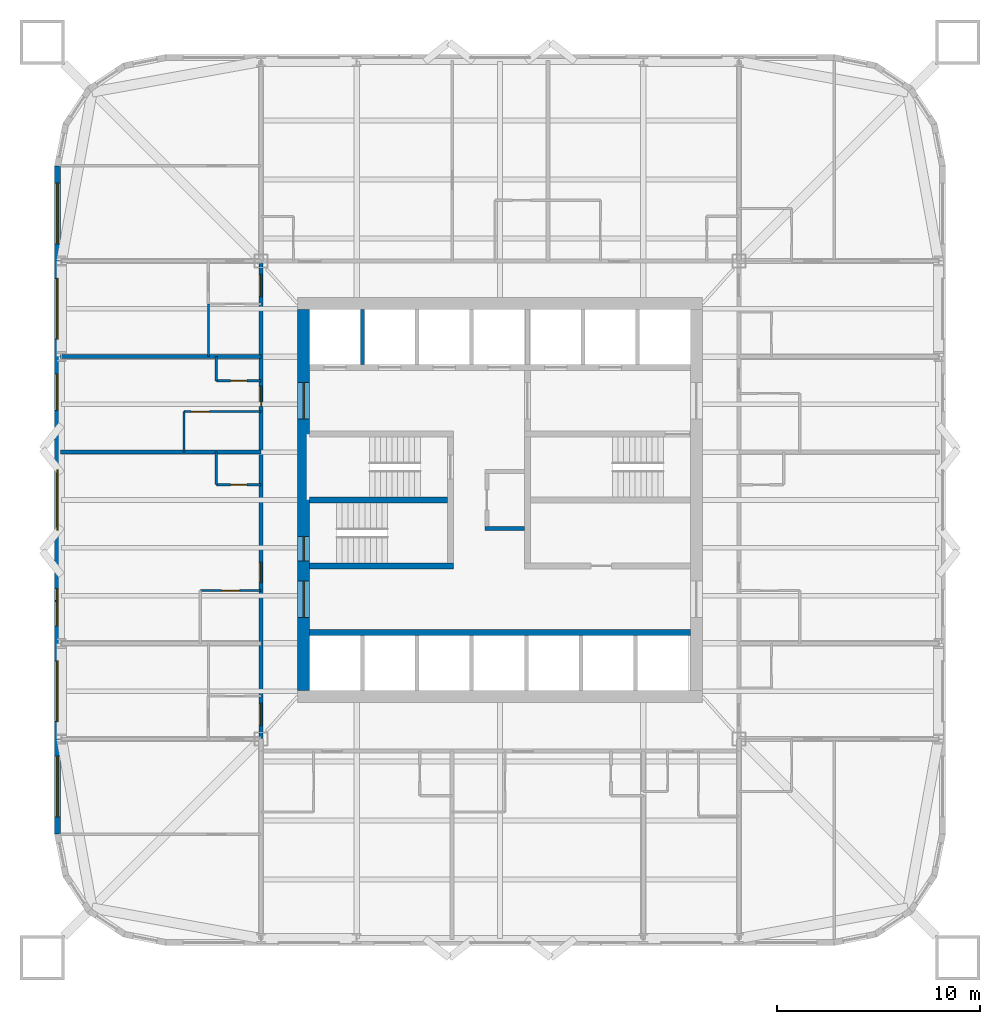
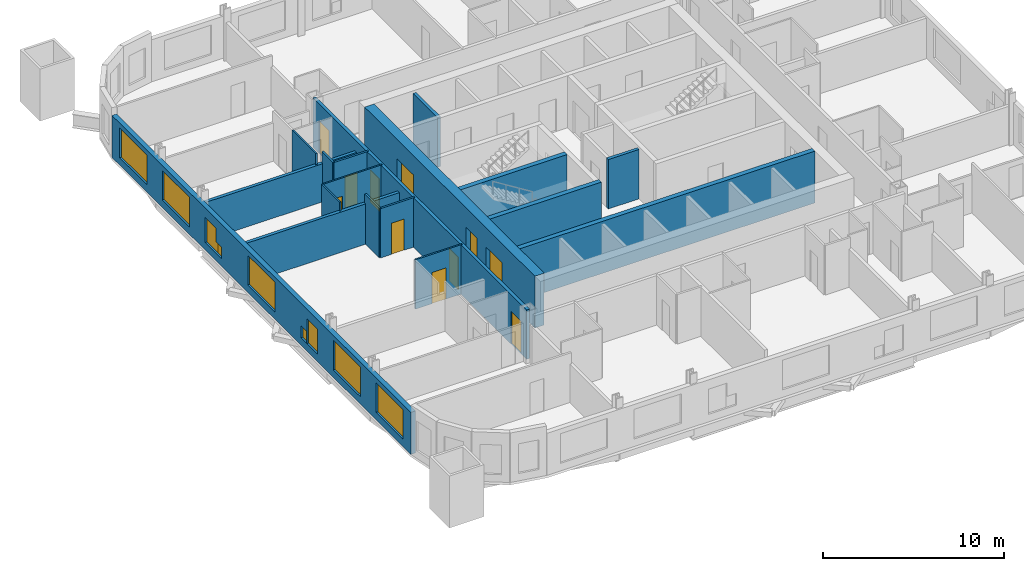
# One storey, part 4 of 10: 18 walls, 11 doors, 9 windows, 20 openings.
"""IFC4 building model written with IfcOpenShell, lengths in metres."""

from ifc_helpers import new_model, si_unit, direction, frame, frame_2d, origin, place, context, subcontext, project, spatial, rectangle, extrude, material, layer, layer_set, type_object, element, fill, save


model = new_model("IFC4")

# Units and contexts
model_context = context("Model", 3, precision=1e-05, world=origin(), true_north=direction((0.0, 1.0)))
body_context = subcontext(model_context, "Body", "Model", "MODEL_VIEW")
ifc_project = project(units=[si_unit("LENGTHUNIT", "METRE"), si_unit("AREAUNIT", "SQUARE_METRE"), si_unit("VOLUMEUNIT", "CUBIC_METRE"), si_unit("PLANEANGLEUNIT", "RADIAN"), si_unit("MASSUNIT", "GRAM", prefix="KILO")], contexts=[model_context])

# Site, building, storey
site_placement = place(None, origin())
site = spatial("IfcSite", under=ifc_project, at=site_placement, CompositionType="ELEMENT")
building_placement = place(site_placement, origin())
building = spatial("IfcBuilding", under=site, at=building_placement, Name="Turquesa Mirador Hotel Tower", CompositionType="ELEMENT")
storey_placement = place(building_placement, frame((0.0, 0.0, 60.0)))
storey = spatial("IfcBuildingStorey", under=building, at=storey_placement, Name="L15", CompositionType="ELEMENT", Elevation=60.0)

# Wall, opening, door
ifc_material_1 = material(Name="Gypsum board on steel studs", Category="steel")
ifc_layer_1 = layer(ifc_material_1, 0.10009765625)
ifc_layer_set_1 = layer_set([ifc_layer_1], Name="BATHROOM WALL 100")
wall_type_1 = type_object("IfcWallType", Name="BATHROOM WALL 100", PredefinedType="PARTITIONING", material=ifc_layer_set_1)
wall_1_placement = place(storey_placement, frame((40.199951171875, 40.52001953125, 0.0), z_axis=(0.0, 0.0, 1.0), x_axis=(1.0, 0.0, 0.0)))
wall_1 = element("IfcWall", 1, at=wall_1_placement, inside=storey, type_object=wall_type_1, Name="Partition L15 013", PredefinedType="PARTITIONING", context=body_context, shape_type="SweptSolid", body=[
    extrude(rectangle(XDim=3.0, YDim=0.10009765625, at=frame_2d((1.5, 0.0))), origin(), (0.0, 0.0, 1.0), 3.330078125),
])
opening_1_placement = place(wall_1_placement, frame((1.050048828125, 0.0, 0.0)))
opening_1 = element("IfcOpeningElement", 2, at=opening_1_placement, cuts=wall_1, Name="Opening D02", PredefinedType="OPENING", context=body_context, shape_type="SweptSolid", body=[
    extrude(rectangle(XDim=0.89990234375, YDim=2.10009765625, at=frame_2d((0.449951171875, 1.050048828125))), frame((0.0, 0.06005859375, 0.0), z_axis=(0.0, -1.0, 0.0), x_axis=(1.0, 0.0, 0.0)), (0.0, 0.0, 1.0), 0.1201171875),
])
ifc_material_2 = material(Name="Timber veneered door", Category="wood")
door_type_1 = type_object("IfcDoorType", Name="DOOR 900X2100 EN-SUITE", OperationType="SINGLE_SWING_RIGHT", PredefinedType="DOOR", material=ifc_material_2)
door_1_placement = place(opening_1_placement, origin())
door_1 = element("IfcDoor", 3, at=door_1_placement, inside=storey, type_object=door_type_1, Name="Door 1508B", OperationType="SINGLE_SWING_RIGHT", OverallHeight=2.10009765625, OverallWidth=0.89990234375, PredefinedType="DOOR", context=body_context, shape_type="SweptSolid", body=[
    extrude(rectangle(XDim=0.89990234375, YDim=2.10009765625, at=frame_2d((0.449951171875, 1.050048828125))), frame((0.0, 0.02490234375, 0.0), z_axis=(0.0, -1.0, 0.0), x_axis=(1.0, 0.0, 0.0)), (0.0, 0.0, 1.0), 0.050048828125),
])
fill(opening_1, door_1)

wall_2_placement = place(storey_placement, frame((39.39990234375, 49.360107421875, 0.0), z_axis=(0.0, 0.0, 1.0), x_axis=(1.0, 0.0, 0.0)))
wall_2 = element("IfcWall", 4, at=wall_2_placement, inside=storey, type_object=wall_type_1, Name="Partition L15 032", PredefinedType="PARTITIONING", context=body_context, shape_type="SweptSolid", body=[
    extrude(rectangle(XDim=3.800048828125, YDim=0.10009765625, at=frame_2d((1.89990234375, 0.0))), origin(), (0.0, 0.0, 1.0), 3.330078125),
])
opening_2_placement = place(wall_2_placement, frame((0.35009765625, 0.0, 0.0)))
opening_2 = element("IfcOpeningElement", 5, at=opening_2_placement, cuts=wall_2, Name="Opening D02", PredefinedType="OPENING", context=body_context, shape_type="SweptSolid", body=[
    extrude(rectangle(XDim=0.89990234375, YDim=2.10009765625, at=frame_2d((0.449951171875, 1.050048828125))), frame((0.0, 0.06005859375, 0.0), z_axis=(0.0, -1.0, 0.0), x_axis=(1.0, 0.0, 0.0)), (0.0, 0.0, 1.0), 0.1201171875),
])
door_2_placement = place(opening_2_placement, origin())
door_2 = element("IfcDoor", 6, at=door_2_placement, inside=storey, type_object=door_type_1, Name="Door 1509B", OperationType="SINGLE_SWING_RIGHT", OverallHeight=2.10009765625, OverallWidth=0.89990234375, PredefinedType="DOOR", context=body_context, shape_type="SweptSolid", body=[
    extrude(rectangle(XDim=0.89990234375, YDim=2.10009765625, at=frame_2d((0.449951171875, 1.050048828125))), frame((0.0, 0.02490234375, 0.0), z_axis=(0.0, -1.0, 0.0), x_axis=(1.0, 0.0, 0.0)), (0.0, 0.0, 1.0), 0.050048828125),
])
fill(opening_2, door_2)

# Walls
wall_3_placement = place(storey_placement, frame((40.60009765625, 52.080078125, 0.0), z_axis=(0.0, 0.0, 1.0), x_axis=(0.0, 1.0, 0.0)))
element("IfcWall", 7, at=wall_3_placement, inside=storey, type_object=wall_type_1, Name="Partition L15 047", PredefinedType="PARTITIONING", context=body_context, shape_type="SweptSolid", body=[
    extrude(rectangle(XDim=2.599853515625, YDim=0.10009765625, at=frame_2d((1.2998046875, 0.0))), origin(), (0.0, 0.0, 1.0), 3.330078125),
])
wall_4_placement = place(storey_placement, frame((39.39990234375, 47.360107421875, 0.0), z_axis=(0.0, 0.0, 1.0), x_axis=(0.0, 1.0, 0.0)))
element("IfcWall", 8, at=wall_4_placement, inside=storey, type_object=wall_type_1, Name="Partition L15 051", PredefinedType="PARTITIONING", context=body_context, shape_type="SweptSolid", body=[
    extrude(rectangle(XDim=2.0, YDim=0.10009765625, at=frame_2d((1.0, 0.0))), origin(), (0.0, 0.0, 1.0), 3.330078125),
])
ifc_material_3 = material(Name="Concrete C50/60", Category="concrete")
ifc_layer_2 = layer(ifc_material_3, 0.300048828125)
ifc_layer_set_2 = layer_set([ifc_layer_2], Name="CORE INNER WALL 300")
wall_type_2 = type_object("IfcWallType", Name="CORE INNER WALL 300", PredefinedType="SHEAR", material=ifc_layer_set_2)
wall_5_placement = place(storey_placement, frame((45.60009765625, 38.449951171875, 0.0), z_axis=(0.0, 0.0, 1.0), x_axis=(1.0, 0.0, 0.0)))
element("IfcWall", 9, at=wall_5_placement, inside=storey, type_object=wall_type_2, Name="Core wall SL", PredefinedType="SHEAR", context=body_context, shape_type="SweptSolid", body=[
    extrude(rectangle(XDim=18.7998046875, YDim=0.300048828125, at=frame_2d((9.39990234375, 0.0))), origin(), (0.0, 0.0, 1.0), 3.5),
])
wall_6_placement = place(storey_placement, frame((45.60009765625, 41.75, 0.0), z_axis=(0.0, 0.0, 1.0), x_axis=(1.0, 0.0, 0.0)))
element("IfcWall", 10, at=wall_6_placement, inside=storey, type_object=wall_type_2, Name="Core wall MS-W", PredefinedType="SHEAR", context=body_context, shape_type="SweptSolid", body=[
    extrude(rectangle(XDim=7.099853515625, YDim=0.300048828125, at=frame_2d((3.5498046875, 0.0))), origin(), (0.0, 0.0, 1.0), 3.5),
])
wall_7_placement = place(storey_placement, frame((45.60009765625, 45.0, 0.0), z_axis=(0.0, 0.0, 1.0), x_axis=(1.0, 0.0, 0.0)))
element("IfcWall", 11, at=wall_7_placement, inside=storey, type_object=wall_type_2, Name="Core wall M0-W", PredefinedType="SHEAR", context=body_context, shape_type="SweptSolid", body=[
    extrude(rectangle(XDim=6.7998046875, YDim=0.300048828125, at=frame_2d((3.39990234375, 0.0))), origin(), (0.0, 0.0, 1.0), 3.5),
])

# Wall, openings, doors
ifc_material_4 = material(Name="Concrete C50/60", Category="concrete")
ifc_layer_3 = layer(ifc_material_4, 0.60009765625)
ifc_layer_set_3 = layer_set([ifc_layer_3], Name="CORE WALL 600")
wall_type_3 = type_object("IfcWallType", Name="CORE WALL 600", PredefinedType="SHEAR", material=ifc_layer_set_3)
wall_8_placement = place(storey_placement, frame((45.300048828125, 35.60009765625, 0.0), z_axis=(0.0, 0.0, 1.0), x_axis=(0.0, 1.0, 0.0)))
wall_8 = element("IfcWall", 12, at=wall_8_placement, inside=storey, type_object=wall_type_3, Name="Core wall W", PredefinedType="SHEAR", context=body_context, shape_type="SweptSolid", body=[
    extrude(rectangle(XDim=18.7998046875, YDim=0.60009765625, at=frame_2d((9.39990234375, 0.0))), origin(), (0.0, 0.0, 1.0), 3.5),
])
opening_3_placement = place(wall_8_placement, frame((13.39990234375, 0.0, 0.0)))
opening_3 = element("IfcOpeningElement", 13, at=opening_3_placement, cuts=wall_8, Name="Opening D04", PredefinedType="OPENING", context=body_context, shape_type="SweptSolid", body=[
    extrude(rectangle(XDim=1.800048828125, YDim=2.199951171875, at=frame_2d((0.89990234375, 1.10009765625))), frame((0.0, 0.31005859375, 0.0), z_axis=(0.0, -1.0, 0.0), x_axis=(1.0, 0.0, 0.0)), (0.0, 0.0, 1.0), 0.6201171875),
])
opening_4_placement = place(wall_8_placement, frame((3.60009765625, 0.0, 0.0)))
opening_4 = element("IfcOpeningElement", 14, at=opening_4_placement, cuts=wall_8, Name="Opening D04", PredefinedType="OPENING", context=body_context, shape_type="SweptSolid", body=[
    extrude(rectangle(XDim=1.800048828125, YDim=2.199951171875, at=frame_2d((0.89990234375, 1.10009765625))), frame((0.0, 0.31005859375, 0.0), z_axis=(0.0, -1.0, 0.0), x_axis=(1.0, 0.0, 0.0)), (0.0, 0.0, 1.0), 0.6201171875),
])
opening_5_placement = place(wall_8_placement, frame((6.39990234375, 0.0, 0.0)))
opening_5 = element("IfcOpeningElement", 15, at=opening_5_placement, cuts=wall_8, Name="Opening D03", PredefinedType="OPENING", context=body_context, shape_type="SweptSolid", body=[
    extrude(rectangle(XDim=1.199951171875, YDim=2.199951171875, at=frame_2d((0.60009765625, 1.10009765625))), frame((0.0, 0.31005859375, 0.0), z_axis=(0.0, -1.0, 0.0), x_axis=(1.0, 0.0, 0.0)), (0.0, 0.0, 1.0), 0.6201171875),
])
ifc_material_5 = material(Name="Steel fire door", Category="steel")
door_type_2 = type_object("IfcDoorType", Name="DOOR 1200X2200 STAIR", OperationType="SINGLE_SWING_LEFT", PredefinedType="DOOR", material=ifc_material_5)
door_3_placement = place(opening_5_placement, origin())
door_3 = element("IfcDoor", 16, at=door_3_placement, inside=storey, type_object=door_type_2, Name="Stair ST2 door", OperationType="SINGLE_SWING_LEFT", OverallHeight=2.199951171875, OverallWidth=1.199951171875, PredefinedType="DOOR", context=body_context, shape_type="SweptSolid", body=[
    extrude(rectangle(XDim=1.199951171875, YDim=2.199951171875, at=frame_2d((0.60009765625, 1.10009765625))), frame((0.0, 0.02490234375, 0.0), z_axis=(0.0, -1.0, 0.0), x_axis=(1.0, 0.0, 0.0)), (0.0, 0.0, 1.0), 0.050048828125),
])
fill(opening_5, door_3)
ifc_material_6 = material(Name="Steel fire door pair", Category="steel")
door_type_3 = type_object("IfcDoorType", Name="DOOR 1800X2200 PAIR", OperationType="DOUBLE_DOOR_SINGLE_SWING", PredefinedType="DOOR", material=ifc_material_6)
door_4_placement = place(opening_3_placement, origin())
door_4 = element("IfcDoor", 17, at=door_4_placement, inside=storey, type_object=door_type_3, Name="North lift lobby door", OperationType="DOUBLE_DOOR_SINGLE_SWING", OverallHeight=2.199951171875, OverallWidth=1.800048828125, PredefinedType="DOOR", context=body_context, shape_type="SweptSolid", body=[
    extrude(rectangle(XDim=1.800048828125, YDim=2.199951171875, at=frame_2d((0.89990234375, 1.10009765625))), frame((0.0, 0.02490234375, 0.0), z_axis=(0.0, -1.0, 0.0), x_axis=(1.0, 0.0, 0.0)), (0.0, 0.0, 1.0), 0.050048828125),
])
fill(opening_3, door_4)
door_5_placement = place(opening_4_placement, origin())
door_5 = element("IfcDoor", 18, at=door_5_placement, inside=storey, type_object=door_type_3, Name="South lift lobby door", OperationType="DOUBLE_DOOR_SINGLE_SWING", OverallHeight=2.199951171875, OverallWidth=1.800048828125, PredefinedType="DOOR", context=body_context, shape_type="SweptSolid", body=[
    extrude(rectangle(XDim=1.800048828125, YDim=2.199951171875, at=frame_2d((0.89990234375, 1.10009765625))), frame((0.0, 0.02490234375, 0.0), z_axis=(0.0, -1.0, 0.0), x_axis=(1.0, 0.0, 0.0)), (0.0, 0.0, 1.0), 0.050048828125),
])
fill(opening_4, door_5)

ifc_material_7 = material(Name="Fire-rated gypsum board on steel studs", Category="steel")
ifc_layer_4 = layer(ifc_material_7, 0.199951171875)
ifc_layer_set_4 = layer_set([ifc_layer_4], Name="CORRIDOR WALL 200")
wall_type_4 = type_object("IfcWallType", Name="CORRIDOR WALL 200", PredefinedType="PARTITIONING", material=ifc_layer_set_4)
wall_9_placement = place(storey_placement, frame((43.199951171875, 33.219970703125, 0.0), z_axis=(0.0, 0.0, 1.0), x_axis=(0.0, 1.0, 0.0)))
wall_9 = element("IfcWall", 19, at=wall_9_placement, inside=storey, type_object=wall_type_4, Name="Partition L15 041", PredefinedType="PARTITIONING", context=body_context, shape_type="SweptSolid", body=[
    extrude(rectangle(XDim=23.580078125, YDim=0.199951171875, at=frame_2d((11.7900390625, 0.0))), origin(), (0.0, 0.0, 1.0), 3.330078125),
])
opening_6_placement = place(wall_9_placement, frame((7.699951171875, 0.0, 0.0)))
opening_6 = element("IfcOpeningElement", 20, at=opening_6_placement, cuts=wall_9, Name="Opening D01", PredefinedType="OPENING", context=body_context, shape_type="SweptSolid", body=[
    extrude(rectangle(XDim=1.0, YDim=2.199951171875, at=frame_2d((0.5, 1.10009765625))), frame((0.0, 0.10986328125, 0.0), z_axis=(0.0, -1.0, 0.0), x_axis=(1.0, 0.0, 0.0)), (0.0, 0.0, 1.0), 0.219970703125),
])
opening_7_placement = place(wall_9_placement, frame((16.39990234375, 0.0, 0.0)))
opening_7 = element("IfcOpeningElement", 21, at=opening_7_placement, cuts=wall_9, Name="Opening D01", PredefinedType="OPENING", context=body_context, shape_type="SweptSolid", body=[
    extrude(rectangle(XDim=1.0, YDim=2.199951171875, at=frame_2d((0.5, 1.10009765625))), frame((0.0, 0.10986328125, 0.0), z_axis=(0.0, -1.0, 0.0), x_axis=(1.0, 0.0, 0.0)), (0.0, 0.0, 1.0), 0.219970703125),
])
opening_8_placement = place(wall_9_placement, frame((21.820068359375, 0.0, 0.0)))
opening_8 = element("IfcOpeningElement", 22, at=opening_8_placement, cuts=wall_9, Name="Opening D15", PredefinedType="OPENING", context=body_context, shape_type="SweptSolid", body=[
    extrude(rectangle(XDim=1.10009765625, YDim=2.199951171875, at=frame_2d((0.550048828125, 1.10009765625))), frame((0.0, 0.10986328125, 0.0), z_axis=(0.0, -1.0, 0.0), x_axis=(1.0, 0.0, 0.0)), (0.0, 0.0, 1.0), 0.219970703125),
])
opening_9_placement = place(wall_9_placement, frame((0.639892578125, 0.0, 0.0)))
opening_9 = element("IfcOpeningElement", 23, at=opening_9_placement, cuts=wall_9, Name="Opening D15", PredefinedType="OPENING", context=body_context, shape_type="SweptSolid", body=[
    extrude(rectangle(XDim=1.10009765625, YDim=2.199951171875, at=frame_2d((0.550048828125, 1.10009765625))), frame((0.0, 0.10986328125, 0.0), z_axis=(0.0, -1.0, 0.0), x_axis=(1.0, 0.0, 0.0)), (0.0, 0.0, 1.0), 0.219970703125),
])
ifc_material_8 = material(Name="Timber veneered fire door", Category="wood")
door_type_4 = type_object("IfcDoorType", Name="DOOR 1000X2200 GUEST ENTRY", OperationType="SINGLE_SWING_LEFT", PredefinedType="DOOR", material=ifc_material_8)
door_6_placement = place(opening_6_placement, origin())
door_6 = element("IfcDoor", 24, at=door_6_placement, inside=storey, type_object=door_type_4, Name="Door 1508", OperationType="SINGLE_SWING_LEFT", OverallHeight=2.199951171875, OverallWidth=1.0, PredefinedType="DOOR", context=body_context, shape_type="SweptSolid", body=[
    extrude(rectangle(XDim=1.0, YDim=2.199951171875, at=frame_2d((0.5, 1.10009765625))), frame((0.0, 0.02490234375, 0.0), z_axis=(0.0, -1.0, 0.0), x_axis=(1.0, 0.0, 0.0)), (0.0, 0.0, 1.0), 0.050048828125),
])
fill(opening_6, door_6)
door_7_placement = place(opening_7_placement, origin())
door_7 = element("IfcDoor", 25, at=door_7_placement, inside=storey, type_object=door_type_4, Name="Door 1509", OperationType="SINGLE_SWING_LEFT", OverallHeight=2.199951171875, OverallWidth=1.0, PredefinedType="DOOR", context=body_context, shape_type="SweptSolid", body=[
    extrude(rectangle(XDim=1.0, YDim=2.199951171875, at=frame_2d((0.5, 1.10009765625))), frame((0.0, 0.02490234375, 0.0), z_axis=(0.0, -1.0, 0.0), x_axis=(1.0, 0.0, 0.0)), (0.0, 0.0, 1.0), 0.050048828125),
])
fill(opening_7, door_7)
ifc_material_9 = material(Name="Timber veneered fire door", Category="wood")
door_type_5 = type_object("IfcDoorType", Name="DOOR 1100X2200 SUITE ENTRY", OperationType="SINGLE_SWING_LEFT", PredefinedType="DOOR", material=ifc_material_9)
door_8_placement = place(opening_8_placement, origin())
door_8 = element("IfcDoor", 26, at=door_8_placement, inside=storey, type_object=door_type_5, Name="Door 1511H", OperationType="SINGLE_SWING_LEFT", OverallHeight=2.199951171875, OverallWidth=1.10009765625, PredefinedType="DOOR", context=body_context, shape_type="SweptSolid", body=[
    extrude(rectangle(XDim=1.10009765625, YDim=2.199951171875, at=frame_2d((0.550048828125, 1.10009765625))), frame((0.0, 0.02490234375, 0.0), z_axis=(0.0, -1.0, 0.0), x_axis=(1.0, 0.0, 0.0)), (0.0, 0.0, 1.0), 0.050048828125),
])
fill(opening_8, door_8)
door_9_placement = place(opening_9_placement, origin())
door_9 = element("IfcDoor", 27, at=door_9_placement, inside=storey, type_object=door_type_5, Name="Door 1512H", OperationType="SINGLE_SWING_LEFT", OverallHeight=2.199951171875, OverallWidth=1.10009765625, PredefinedType="DOOR", context=body_context, shape_type="SweptSolid", body=[
    extrude(rectangle(XDim=1.10009765625, YDim=2.199951171875, at=frame_2d((0.550048828125, 1.10009765625))), frame((0.0, 0.02490234375, 0.0), z_axis=(0.0, -1.0, 0.0), x_axis=(1.0, 0.0, 0.0)), (0.0, 0.0, 1.0), 0.050048828125),
])
fill(opening_9, door_9)

# Wall, openings, windows
ifc_material_10 = material(Name="Limestone cladding on concrete block", Category="masonry")
ifc_layer_5 = layer(ifc_material_10, 0.300048828125)
ifc_layer_set_5 = layer_set([ifc_layer_5], Name="FACADE WALL 300 STONE SCREEN")
wall_type_5 = type_object("IfcWallType", Name="FACADE WALL 300 STONE SCREEN", PredefinedType="SOLIDWALL", material=ifc_layer_set_5)
wall_10_placement = place(storey_placement, frame((33.14990234375, 61.5, 0.0), z_axis=(0.0, 0.0, 1.0), x_axis=(0.0, -1.0, 0.0)))
wall_10 = element("IfcWall", 28, at=wall_10_placement, inside=storey, type_object=wall_type_5, Name="Facade wall L15 14", PredefinedType="SOLIDWALL", context=body_context, shape_type="SweptSolid", body=[
    extrude(rectangle(XDim=33.0, YDim=0.300048828125, at=frame_2d((16.5, 0.0))), origin(), (0.0, 0.0, 1.0), 2.830078125),
])
opening_10_placement = place(wall_10_placement, frame((0.85009765625, 0.0, 0.5)))
opening_10 = element("IfcOpeningElement", 29, at=opening_10_placement, cuts=wall_10, Name="Opening WN1", PredefinedType="OPENING", context=body_context, shape_type="SweptSolid", body=[
    extrude(rectangle(XDim=3.0, YDim=2.0, at=frame_2d((1.5, 1.0))), frame((0.0, 0.159912109375, 0.0), z_axis=(0.0, -1.0, 0.0), x_axis=(1.0, 0.0, 0.0)), (0.0, 0.0, 1.0), 0.320068359375),
])
opening_11_placement = place(wall_10_placement, frame((5.56005859375, 0.0, 0.5)))
opening_11 = element("IfcOpeningElement", 30, at=opening_11_placement, cuts=wall_10, Name="Opening WN1", PredefinedType="OPENING", context=body_context, shape_type="SweptSolid", body=[
    extrude(rectangle(XDim=3.0, YDim=2.0, at=frame_2d((1.5, 1.0))), frame((0.0, 0.159912109375, 0.0), z_axis=(0.0, -1.0, 0.0), x_axis=(1.0, 0.0, 0.0)), (0.0, 0.0, 1.0), 0.320068359375),
])
opening_12_placement = place(wall_10_placement, frame((10.280029296875, 0.0, 0.5)))
opening_12 = element("IfcOpeningElement", 31, at=opening_12_placement, cuts=wall_10, Name="Opening WN40", PredefinedType="OPENING", context=body_context, shape_type="SweptSolid", body=[
    extrude(rectangle(XDim=1.199951171875, YDim=1.699951171875, at=frame_2d((0.60009765625, 0.85009765625))), frame((0.0, 0.159912109375, 0.0), z_axis=(0.0, -1.0, 0.0), x_axis=(1.0, 0.0, 0.0)), (0.0, 0.0, 1.0), 0.320068359375),
])
opening_13_placement = place(wall_10_placement, frame((15.0, 0.0, 0.5)))
opening_13 = element("IfcOpeningElement", 32, at=opening_13_placement, cuts=wall_10, Name="Opening WN1", PredefinedType="OPENING", context=body_context, shape_type="SweptSolid", body=[
    extrude(rectangle(XDim=3.0, YDim=2.0, at=frame_2d((1.5, 1.0))), frame((0.0, 0.159912109375, 0.0), z_axis=(0.0, -1.0, 0.0), x_axis=(1.0, 0.0, 0.0)), (0.0, 0.0, 1.0), 0.320068359375),
])
opening_14_placement = place(wall_10_placement, frame((21.52001953125, 0.0, 0.5)))
opening_14 = element("IfcOpeningElement", 33, at=opening_14_placement, cuts=wall_10, Name="Opening WN40", PredefinedType="OPENING", context=body_context, shape_type="SweptSolid", body=[
    extrude(rectangle(XDim=1.199951171875, YDim=1.699951171875, at=frame_2d((0.60009765625, 0.85009765625))), frame((0.0, 0.159912109375, 0.0), z_axis=(0.0, -1.0, 0.0), x_axis=(1.0, 0.0, 0.0)), (0.0, 0.0, 1.0), 0.320068359375),
])
opening_15_placement = place(wall_10_placement, frame((24.43994140625, 0.0, 0.5)))
opening_15 = element("IfcOpeningElement", 34, at=opening_15_placement, cuts=wall_10, Name="Opening WN1", PredefinedType="OPENING", context=body_context, shape_type="SweptSolid", body=[
    extrude(rectangle(XDim=3.0, YDim=2.0, at=frame_2d((1.5, 1.0))), frame((0.0, 0.159912109375, 0.0), z_axis=(0.0, -1.0, 0.0), x_axis=(1.0, 0.0, 0.0)), (0.0, 0.0, 1.0), 0.320068359375),
])
opening_16_placement = place(wall_10_placement, frame((29.14990234375, 0.0, 0.5)))
opening_16 = element("IfcOpeningElement", 35, at=opening_16_placement, cuts=wall_10, Name="Opening WN1", PredefinedType="OPENING", context=body_context, shape_type="SweptSolid", body=[
    extrude(rectangle(XDim=3.0, YDim=2.0, at=frame_2d((1.5, 1.0))), frame((0.0, 0.159912109375, 0.0), z_axis=(0.0, -1.0, 0.0), x_axis=(1.0, 0.0, 0.0)), (0.0, 0.0, 1.0), 0.320068359375),
])
opening_17_placement = place(wall_10_placement, frame((11.47998046875, 0.0, 0.5)))
opening_17 = element("IfcOpeningElement", 36, at=opening_17_placement, cuts=wall_10, Name="Opening WN28", PredefinedType="OPENING", context=body_context, shape_type="SweptSolid", body=[
    extrude(rectangle(XDim=0.60009765625, YDim=0.800048828125, at=frame_2d((0.300048828125, 0.39990234375))), frame((0.0, 0.159912109375, 0.0), z_axis=(0.0, -1.0, 0.0), x_axis=(1.0, 0.0, 0.0)), (0.0, 0.0, 1.0), 0.320068359375),
])
opening_18_placement = place(wall_10_placement, frame((20.8701171875, 0.0, 0.5)))
opening_18 = element("IfcOpeningElement", 37, at=opening_18_placement, cuts=wall_10, Name="Opening WN28", PredefinedType="OPENING", context=body_context, shape_type="SweptSolid", body=[
    extrude(rectangle(XDim=0.60009765625, YDim=0.800048828125, at=frame_2d((0.300048828125, 0.39990234375))), frame((0.0, 0.159912109375, 0.0), z_axis=(0.0, -1.0, 0.0), x_axis=(1.0, 0.0, 0.0)), (0.0, 0.0, 1.0), 0.320068359375),
])
ifc_material_11 = material(Name="Ceramic-fritted laminated glass", Category="glass")
window_type_1 = type_object("IfcWindowType", Name="FRITTED WINDOW 1200X1700", PartitioningType="DOUBLE_PANEL_HORIZONTAL", PredefinedType="WINDOW", material=ifc_material_11)
window_1_placement = place(opening_12_placement, origin())
window_1 = element("IfcWindow", 38, at=window_1_placement, inside=storey, type_object=window_type_1, Name="Window L15", OverallHeight=1.699951171875, OverallWidth=1.199951171875, PartitioningType="SINGLE_PANEL", PredefinedType="WINDOW", context=body_context, shape_type="SweptSolid", body=[
    extrude(rectangle(XDim=1.199951171875, YDim=1.699951171875, at=frame_2d((0.60009765625, 0.85009765625))), frame((0.0, 0.030029296875, 0.0), z_axis=(0.0, -1.0, 0.0), x_axis=(1.0, 0.0, 0.0)), (0.0, 0.0, 1.0), 0.06005859375),
])
fill(opening_12, window_1)
window_2_placement = place(opening_14_placement, origin())
window_2 = element("IfcWindow", 39, at=window_2_placement, inside=storey, type_object=window_type_1, Name="Window L15", OverallHeight=1.699951171875, OverallWidth=1.199951171875, PartitioningType="SINGLE_PANEL", PredefinedType="WINDOW", context=body_context, shape_type="SweptSolid", body=[
    extrude(rectangle(XDim=1.199951171875, YDim=1.699951171875, at=frame_2d((0.60009765625, 0.85009765625))), frame((0.0, 0.030029296875, 0.0), z_axis=(0.0, -1.0, 0.0), x_axis=(1.0, 0.0, 0.0)), (0.0, 0.0, 1.0), 0.06005859375),
])
fill(opening_14, window_2)
ifc_material_12 = material(Name="Ceramic-fritted laminated glass", Category="glass")
window_type_2 = type_object("IfcWindowType", Name="FRITTED WINDOW 3000X2000", PartitioningType="DOUBLE_PANEL_HORIZONTAL", PredefinedType="WINDOW", material=ifc_material_12)
window_3_placement = place(opening_10_placement, origin())
window_3 = element("IfcWindow", 40, at=window_3_placement, inside=storey, type_object=window_type_2, Name="Window L15", OverallHeight=2.0, OverallWidth=3.0, PartitioningType="SINGLE_PANEL", PredefinedType="WINDOW", context=body_context, shape_type="SweptSolid", body=[
    extrude(rectangle(XDim=3.0, YDim=2.0, at=frame_2d((1.5, 1.0))), frame((0.0, 0.030029296875, 0.0), z_axis=(0.0, -1.0, 0.0), x_axis=(1.0, 0.0, 0.0)), (0.0, 0.0, 1.0), 0.06005859375),
])
fill(opening_10, window_3)
window_4_placement = place(opening_11_placement, origin())
window_4 = element("IfcWindow", 41, at=window_4_placement, inside=storey, type_object=window_type_2, Name="Window L15", OverallHeight=2.0, OverallWidth=3.0, PartitioningType="SINGLE_PANEL", PredefinedType="WINDOW", context=body_context, shape_type="SweptSolid", body=[
    extrude(rectangle(XDim=3.0, YDim=2.0, at=frame_2d((1.5, 1.0))), frame((0.0, 0.030029296875, 0.0), z_axis=(0.0, -1.0, 0.0), x_axis=(1.0, 0.0, 0.0)), (0.0, 0.0, 1.0), 0.06005859375),
])
fill(opening_11, window_4)
window_5_placement = place(opening_13_placement, origin())
window_5 = element("IfcWindow", 42, at=window_5_placement, inside=storey, type_object=window_type_2, Name="Window L15", OverallHeight=2.0, OverallWidth=3.0, PartitioningType="SINGLE_PANEL", PredefinedType="WINDOW", context=body_context, shape_type="SweptSolid", body=[
    extrude(rectangle(XDim=3.0, YDim=2.0, at=frame_2d((1.5, 1.0))), frame((0.0, 0.030029296875, 0.0), z_axis=(0.0, -1.0, 0.0), x_axis=(1.0, 0.0, 0.0)), (0.0, 0.0, 1.0), 0.06005859375),
])
fill(opening_13, window_5)
window_6_placement = place(opening_15_placement, origin())
window_6 = element("IfcWindow", 43, at=window_6_placement, inside=storey, type_object=window_type_2, Name="Window L15", OverallHeight=2.0, OverallWidth=3.0, PartitioningType="SINGLE_PANEL", PredefinedType="WINDOW", context=body_context, shape_type="SweptSolid", body=[
    extrude(rectangle(XDim=3.0, YDim=2.0, at=frame_2d((1.5, 1.0))), frame((0.0, 0.030029296875, 0.0), z_axis=(0.0, -1.0, 0.0), x_axis=(1.0, 0.0, 0.0)), (0.0, 0.0, 1.0), 0.06005859375),
])
fill(opening_15, window_6)
window_7_placement = place(opening_16_placement, origin())
window_7 = element("IfcWindow", 44, at=window_7_placement, inside=storey, type_object=window_type_2, Name="Window L15", OverallHeight=2.0, OverallWidth=3.0, PartitioningType="SINGLE_PANEL", PredefinedType="WINDOW", context=body_context, shape_type="SweptSolid", body=[
    extrude(rectangle(XDim=3.0, YDim=2.0, at=frame_2d((1.5, 1.0))), frame((0.0, 0.030029296875, 0.0), z_axis=(0.0, -1.0, 0.0), x_axis=(1.0, 0.0, 0.0)), (0.0, 0.0, 1.0), 0.06005859375),
])
fill(opening_16, window_7)
ifc_material_13 = material(Name="Ceramic-fritted laminated glass", Category="glass")
window_type_3 = type_object("IfcWindowType", Name="FRITTED WINDOW 600X800", PartitioningType="DOUBLE_PANEL_HORIZONTAL", PredefinedType="WINDOW", material=ifc_material_13)
window_8_placement = place(opening_17_placement, origin())
window_8 = element("IfcWindow", 45, at=window_8_placement, inside=storey, type_object=window_type_3, Name="Window L15", OverallHeight=0.800048828125, OverallWidth=0.60009765625, PartitioningType="SINGLE_PANEL", PredefinedType="WINDOW", context=body_context, shape_type="SweptSolid", body=[
    extrude(rectangle(XDim=0.60009765625, YDim=0.800048828125, at=frame_2d((0.300048828125, 0.39990234375))), frame((0.0, 0.030029296875, 0.0), z_axis=(0.0, -1.0, 0.0), x_axis=(1.0, 0.0, 0.0)), (0.0, 0.0, 1.0), 0.06005859375),
])
fill(opening_17, window_8)
window_9_placement = place(opening_18_placement, origin())
window_9 = element("IfcWindow", 46, at=window_9_placement, inside=storey, type_object=window_type_3, Name="Window L15", OverallHeight=0.800048828125, OverallWidth=0.60009765625, PartitioningType="SINGLE_PANEL", PredefinedType="WINDOW", context=body_context, shape_type="SweptSolid", body=[
    extrude(rectangle(XDim=0.60009765625, YDim=0.800048828125, at=frame_2d((0.300048828125, 0.39990234375))), frame((0.0, 0.030029296875, 0.0), z_axis=(0.0, -1.0, 0.0), x_axis=(1.0, 0.0, 0.0)), (0.0, 0.0, 1.0), 0.06005859375),
])
fill(opening_18, window_9)

# Walls
ifc_material_14 = material(Name="Fire-rated gypsum board on steel studs", Category="steel")
ifc_layer_6 = layer(ifc_material_14, 0.199951171875)
ifc_layer_set_6 = layer_set([ifc_layer_6], Name="FIRE PARTITION 200")
wall_type_6 = type_object("IfcWallType", Name="FIRE PARTITION 200", PredefinedType="PARTITIONING", material=ifc_layer_set_6)
wall_11_placement = place(storey_placement, frame((54.25, 43.60009765625, 0.0), z_axis=(0.0, 0.0, 1.0), x_axis=(1.0, 0.0, 0.0)))
element("IfcWall", 47, at=wall_11_placement, inside=storey, type_object=wall_type_6, Name="Partition L15 VD S", PredefinedType="PARTITIONING", context=body_context, shape_type="SweptSolid", body=[
    extrude(rectangle(XDim=1.949951171875, YDim=0.199951171875, at=frame_2d((0.97509765625, 0.0))), origin(), (0.0, 0.0, 1.0), 3.330078125),
])
ifc_material_15 = material(Name="Fire-rated gypsum shaft wall on steel studs", Category="steel")
ifc_layer_7 = layer(ifc_material_15, 0.199951171875)
ifc_layer_set_7 = layer_set([ifc_layer_7], Name="LIFT SHAFT DIVIDER 200")
wall_type_7 = type_object("IfcWallType", Name="LIFT SHAFT DIVIDER 200", PredefinedType="PARTITIONING", material=ifc_layer_set_7)
wall_12_placement = place(storey_placement, frame((48.199951171875, 51.699951171875, 0.0), z_axis=(0.0, 0.0, 1.0), x_axis=(0.0, 1.0, 0.0)))
element("IfcWall", 48, at=wall_12_placement, inside=storey, type_object=wall_type_7, Name="Lift shaft divider", PredefinedType="PARTITIONING", context=body_context, shape_type="SweptSolid", body=[
    extrude(rectangle(XDim=2.699951171875, YDim=0.199951171875, at=frame_2d((1.35009765625, 0.0))), origin(), (0.0, 0.0, 1.0), 3.330078125),
])
ifc_material_16 = material(Name="Fire-rated gypsum board on steel studs", Category="steel")
ifc_layer_8 = layer(ifc_material_16, 0.199951171875)
ifc_layer_set_8 = layer_set([ifc_layer_8], Name="PARTY WALL 200")
wall_type_8 = type_object("IfcWallType", Name="PARTY WALL 200", PredefinedType="PARTITIONING", material=ifc_layer_set_8)
wall_13_placement = place(storey_placement, frame((33.300048828125, 47.360107421875, 0.0), z_axis=(0.0, 0.0, 1.0), x_axis=(1.0, 0.0, 0.0)))
element("IfcWall", 49, at=wall_13_placement, inside=storey, type_object=wall_type_8, Name="Partition L15 030", PredefinedType="PARTITIONING", context=body_context, shape_type="SweptSolid", body=[
    extrude(rectangle(XDim=9.89990234375, YDim=0.199951171875, at=frame_2d((4.949951171875, 0.0))), origin(), (0.0, 0.0, 1.0), 2.722900390625),
])
wall_14_placement = place(storey_placement, frame((33.300048828125, 52.080078125, 0.0), z_axis=(0.0, 0.0, 1.0), x_axis=(1.0, 0.0, 0.0)))
element("IfcWall", 50, at=wall_14_placement, inside=storey, type_object=wall_type_8, Name="Partition L15 035", PredefinedType="PARTITIONING", context=body_context, shape_type="SweptSolid", body=[
    extrude(rectangle(XDim=9.89990234375, YDim=0.199951171875, at=frame_2d((4.949951171875, 0.0))), origin(), (0.0, 0.0, 1.0), 2.572998046875),
])

# Wall, opening, door
ifc_material_17 = material(Name="Acoustic gypsum board on steel studs", Category="steel")
ifc_layer_9 = layer(ifc_material_17, 0.125)
ifc_layer_set_9 = layer_set([ifc_layer_9], Name="SUITE PARTITION 125")
wall_type_9 = type_object("IfcWallType", Name="SUITE PARTITION 125", PredefinedType="PARTITIONING", material=ifc_layer_set_9)
wall_15_placement = place(storey_placement, frame((41.0, 45.760009765625, 0.0), z_axis=(0.0, 0.0, 1.0), x_axis=(1.0, 0.0, 0.0)))
wall_15 = element("IfcWall", 51, at=wall_15_placement, inside=storey, type_object=wall_type_9, Name="Partition L15 019", PredefinedType="PARTITIONING", context=body_context, shape_type="SweptSolid", body=[
    extrude(rectangle(XDim=2.199951171875, YDim=0.125, at=frame_2d((1.10009765625, 0.0))), origin(), (0.0, 0.0, 1.0), 3.330078125),
])
opening_19_placement = place(wall_15_placement, frame((0.699951171875, 0.0, 0.0)))
opening_19 = element("IfcOpeningElement", 52, at=opening_19_placement, cuts=wall_15, Name="Opening D20", PredefinedType="OPENING", context=body_context, shape_type="SweptSolid", body=[
    extrude(rectangle(XDim=0.800048828125, YDim=2.10009765625, at=frame_2d((0.39990234375, 1.050048828125))), frame((0.0, 0.072509765625, 0.0), z_axis=(0.0, -1.0, 0.0), x_axis=(1.0, 0.0, 0.0)), (0.0, 0.0, 1.0), 0.14501953125),
])
ifc_material_18 = material(Name="Timber veneered sliding door", Category="wood")
door_type_6 = type_object("IfcDoorType", Name="DOOR 800X2100 WARDROBE", OperationType="SLIDING_TO_LEFT", PredefinedType="DOOR", material=ifc_material_18)
door_10_placement = place(opening_19_placement, origin())
door_10 = element("IfcDoor", 53, at=door_10_placement, inside=storey, type_object=door_type_6, Name="Door 1508W", OperationType="SLIDING_TO_LEFT", OverallHeight=2.10009765625, OverallWidth=0.800048828125, PredefinedType="DOOR", context=body_context, shape_type="SweptSolid", body=[
    extrude(rectangle(XDim=0.800048828125, YDim=2.10009765625, at=frame_2d((0.39990234375, 1.050048828125))), frame((0.0, 0.02490234375, 0.0), z_axis=(0.0, -1.0, 0.0), x_axis=(1.0, 0.0, 0.0)), (0.0, 0.0, 1.0), 0.050048828125),
])
fill(opening_19, door_10)

wall_16_placement = place(storey_placement, frame((41.0, 50.8798828125, 0.0), z_axis=(0.0, 0.0, 1.0), x_axis=(1.0, 0.0, 0.0)))
wall_16 = element("IfcWall", 54, at=wall_16_placement, inside=storey, type_object=wall_type_9, Name="Partition L15 034", PredefinedType="PARTITIONING", context=body_context, shape_type="SweptSolid", body=[
    extrude(rectangle(XDim=2.199951171875, YDim=0.125, at=frame_2d((1.10009765625, 0.0))), origin(), (0.0, 0.0, 1.0), 3.330078125),
])
opening_20_placement = place(wall_16_placement, frame((0.699951171875, 0.0, 0.0)))
opening_20 = element("IfcOpeningElement", 55, at=opening_20_placement, cuts=wall_16, Name="Opening D20", PredefinedType="OPENING", context=body_context, shape_type="SweptSolid", body=[
    extrude(rectangle(XDim=0.800048828125, YDim=2.10009765625, at=frame_2d((0.39990234375, 1.050048828125))), frame((0.0, 0.072509765625, 0.0), z_axis=(0.0, -1.0, 0.0), x_axis=(1.0, 0.0, 0.0)), (0.0, 0.0, 1.0), 0.14501953125),
])
door_11_placement = place(opening_20_placement, origin())
door_11 = element("IfcDoor", 56, at=door_11_placement, inside=storey, type_object=door_type_6, Name="Door 1509W", OperationType="SLIDING_TO_LEFT", OverallHeight=2.10009765625, OverallWidth=0.800048828125, PredefinedType="DOOR", context=body_context, shape_type="SweptSolid", body=[
    extrude(rectangle(XDim=0.800048828125, YDim=2.10009765625, at=frame_2d((0.39990234375, 1.050048828125))), frame((0.0, 0.02490234375, 0.0), z_axis=(0.0, -1.0, 0.0), x_axis=(1.0, 0.0, 0.0)), (0.0, 0.0, 1.0), 0.050048828125),
])
fill(opening_20, door_11)

# Walls
wall_17_placement = place(storey_placement, frame((41.0, 45.760009765625, 0.0), z_axis=(0.0, 0.0, 1.0), x_axis=(0.0, 1.0, 0.0)))
element("IfcWall", 57, at=wall_17_placement, inside=storey, type_object=wall_type_9, Name="Partition L15 044", PredefinedType="PARTITIONING", context=body_context, shape_type="SweptSolid", body=[
    extrude(rectangle(XDim=1.60009765625, YDim=0.125, at=frame_2d((0.800048828125, 0.0))), origin(), (0.0, 0.0, 1.0), 3.330078125),
])
wall_18_placement = place(storey_placement, frame((41.0, 50.8798828125, 0.0), z_axis=(0.0, 0.0, 1.0), x_axis=(0.0, 1.0, 0.0)))
element("IfcWall", 58, at=wall_18_placement, inside=storey, type_object=wall_type_9, Name="Partition L15 045", PredefinedType="PARTITIONING", context=body_context, shape_type="SweptSolid", body=[
    extrude(rectangle(XDim=1.2001953125, YDim=0.125, at=frame_2d((0.60009765625, 0.0))), origin(), (0.0, 0.0, 1.0), 3.330078125),
])

save(model, "model.ifc")
